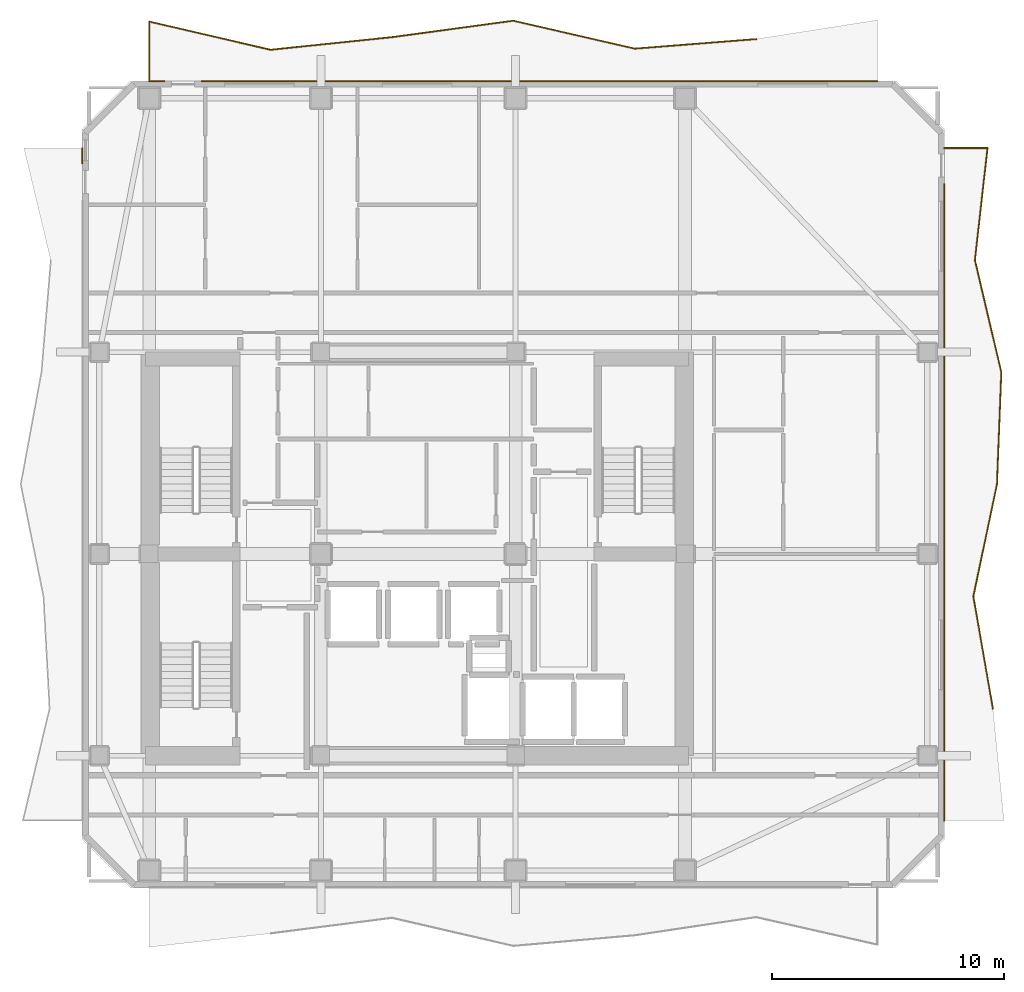
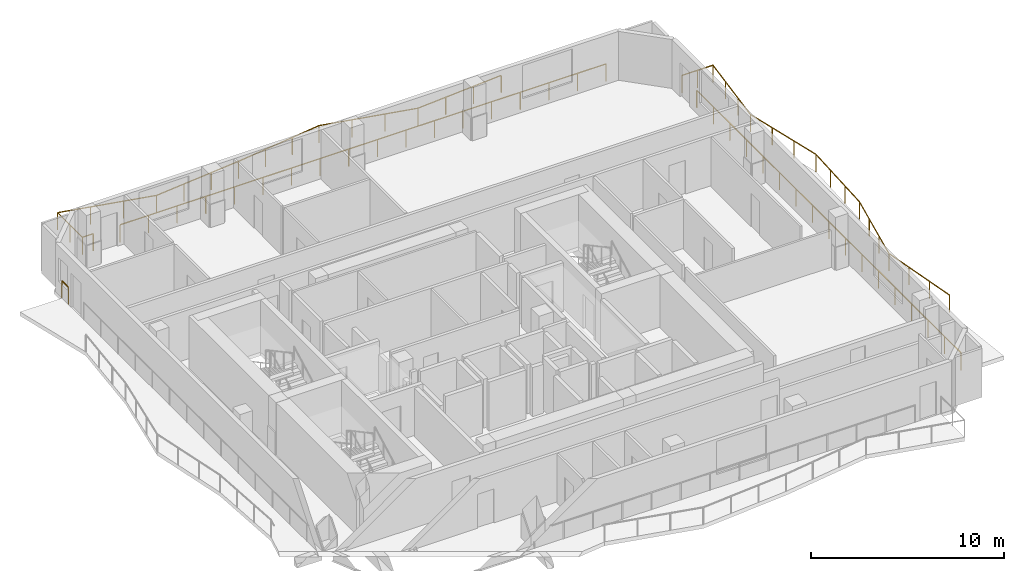
# One storey, part 9 of 9: 5 railings.
"""IFC4 building model written with IfcOpenShell, lengths in metres."""

from ifc_helpers import new_model, si_unit, direction, frame, origin, origin_2d, place, context, subcontext, project, spatial, rectangle, extrude, material, type_object, element, save


model = new_model("IFC4")

# Units and contexts
model_context = context("Model", 3, precision=1e-05, world=origin(), true_north=direction((0.0, 1.0)))
body_context = subcontext(model_context, "Body", "Model", "MODEL_VIEW")
ifc_project = project(units=[si_unit("LENGTHUNIT", "METRE"), si_unit("AREAUNIT", "SQUARE_METRE"), si_unit("VOLUMEUNIT", "CUBIC_METRE"), si_unit("PLANEANGLEUNIT", "RADIAN"), si_unit("MASSUNIT", "GRAM", prefix="KILO")], contexts=[model_context])

# Site, building, storey
site_placement = place(None, origin())
site = spatial("IfcSite", under=ifc_project, at=site_placement, CompositionType="ELEMENT")
building_placement = place(site_placement, origin())
building = spatial("IfcBuilding", under=site, at=building_placement, Name="Solanera Arch Residences", CompositionType="ELEMENT")
storey_placement = place(building_placement, frame((0.0, 0.0, 241.239990234375)))
storey = spatial("IfcBuildingStorey", under=building, at=storey_placement, Name="L70", CompositionType="ELEMENT", Elevation=241.239990234375)

# Railings
ifc_material = material(Name="Steel S355 (ASTM A992 / A572 Grade 50)", Category="steel")
railing_type = type_object("IfcRailingType", Name="Balustrade Railing BL-1100", PredefinedType="BALUSTRADE", material=ifc_material)
railing_1_placement = place(storey_placement, frame((39.56689453125, 52.90087890625, 0.0)))
element("IfcRailing", 1, at=railing_1_placement, inside=storey, type_object=railing_type, Name="L70 N Balcony Balustrade 1", PredefinedType="BALUSTRADE", context=body_context, shape_type="SweptSolid", body=[
    extrude(rectangle(XDim=0.048095703125, YDim=0.048095703125, at=origin_2d()), frame((0.0, 0.0, 1.09619140625), z_axis=(-0.996903522987, -0.078634380883, 0.0), x_axis=(0.078634380883, -0.996903522987, 0.0)), (0.0, 0.0, 1.0), 5.250244140625),
    extrude(rectangle(XDim=0.048095703125, YDim=0.048095703125, at=origin_2d()), frame((-5.23388671875, -0.412841796875, 1.09619140625), z_axis=(-0.974543465469, 0.224198648326, 0.0), x_axis=(-0.224198648326, -0.974543465469, 0.0)), (0.0, 0.0, 1.0), 5.36962890625),
    extrude(rectangle(XDim=0.048095703125, YDim=0.048095703125, at=origin_2d()), frame((-10.466796875, 0.791015625, 1.09619140625), z_axis=(-0.990971690654, -0.134071280751, 0.0), x_axis=(0.134071280751, -0.990971690654, 0.0)), (0.0, 0.0, 1.0), 5.28076171875),
    extrude(rectangle(XDim=0.048095703125, YDim=0.048095703125, at=origin_2d()), frame((-15.699951171875, 0.0830078125, 1.09619140625), z_axis=(-0.994642884034, -0.103370852954, 0.0), x_axis=(0.103370852954, -0.994642884034, 0.0)), (0.0, 0.0, 1.0), 5.261962890625),
    extrude(rectangle(XDim=0.048095703125, YDim=0.048095703125, at=origin_2d()), frame((-20.933837890625, -0.4609375, 1.09619140625), z_axis=(-0.974087010502, 0.22617359698, 0.0), x_axis=(-0.22617359698, -0.974087010502, 0.0)), (0.0, 0.0, 1.0), 5.372314453125),
    extrude(rectangle(XDim=0.048095703125, YDim=0.048095703125, at=origin_2d()), frame((-26.1669921875, 0.754150390625, 1.09619140625), z_axis=(0.0, -1.0, 0.0), x_axis=(1.0, 0.0, 0.0)), (0.0, 0.0, 1.0), 2.574951171875),
    extrude(rectangle(XDim=0.048095703125, YDim=0.048095703125, at=origin_2d()), frame((-26.1669921875, -1.82080078125, 1.09619140625), z_axis=(1.0, 0.0, 0.0), x_axis=(0.0, 1.0, 0.0)), (0.0, 0.0, 1.0), 0.655029296875),
    extrude(rectangle(XDim=0.0419921875, YDim=0.0419921875, at=origin_2d()), origin(), (0.0, 0.0, 1.0), 1.072021484375),
    extrude(rectangle(XDim=0.0419921875, YDim=0.0419921875, at=origin_2d()), frame((-1.74462890625, -0.1376953125, 0.0)), (0.0, 0.0, 1.0), 1.072021484375),
    extrude(rectangle(XDim=0.0419921875, YDim=0.0419921875, at=origin_2d()), frame((-3.4892578125, -0.275146484375, 0.0)), (0.0, 0.0, 1.0), 1.072021484375),
    extrude(rectangle(XDim=0.0419921875, YDim=0.0419921875, at=origin_2d()), frame((-5.23388671875, -0.412841796875, 0.0)), (0.0, 0.0, 1.0), 1.072021484375),
    extrude(rectangle(XDim=0.0419921875, YDim=0.0419921875, at=origin_2d()), frame((-6.978271484375, -0.011474609375, 0.0)), (0.0, 0.0, 1.0), 1.072021484375),
    extrude(rectangle(XDim=0.0419921875, YDim=0.0419921875, at=origin_2d()), frame((-8.722412109375, 0.3896484375, 0.0)), (0.0, 0.0, 1.0), 1.072021484375),
    extrude(rectangle(XDim=0.0419921875, YDim=0.0419921875, at=origin_2d()), frame((-10.466796875, 0.791015625, 0.0)), (0.0, 0.0, 1.0), 1.072021484375),
    extrude(rectangle(XDim=0.0419921875, YDim=0.0419921875, at=origin_2d()), frame((-12.211181640625, 0.554931640625, 0.0)), (0.0, 0.0, 1.0), 1.072021484375),
    extrude(rectangle(XDim=0.0419921875, YDim=0.0419921875, at=origin_2d()), frame((-13.95556640625, 0.319091796875, 0.0)), (0.0, 0.0, 1.0), 1.072021484375),
    extrude(rectangle(XDim=0.0419921875, YDim=0.0419921875, at=origin_2d()), frame((-15.699951171875, 0.0830078125, 0.0)), (0.0, 0.0, 1.0), 1.072021484375),
    extrude(rectangle(XDim=0.0419921875, YDim=0.0419921875, at=origin_2d()), frame((-17.444580078125, -0.098388671875, 0.0)), (0.0, 0.0, 1.0), 1.072021484375),
    extrude(rectangle(XDim=0.0419921875, YDim=0.0419921875, at=origin_2d()), frame((-19.189208984375, -0.279541015625, 0.0)), (0.0, 0.0, 1.0), 1.072021484375),
    extrude(rectangle(XDim=0.0419921875, YDim=0.0419921875, at=origin_2d()), frame((-20.933837890625, -0.4609375, 0.0)), (0.0, 0.0, 1.0), 1.072021484375),
    extrude(rectangle(XDim=0.0419921875, YDim=0.0419921875, at=origin_2d()), frame((-22.67822265625, -0.055908203125, 0.0)), (0.0, 0.0, 1.0), 1.072021484375),
    extrude(rectangle(XDim=0.0419921875, YDim=0.0419921875, at=origin_2d()), frame((-24.422607421875, 0.34912109375, 0.0)), (0.0, 0.0, 1.0), 1.072021484375),
    extrude(rectangle(XDim=0.0419921875, YDim=0.0419921875, at=origin_2d()), frame((-26.1669921875, 0.754150390625, 0.0)), (0.0, 0.0, 1.0), 1.072021484375),
    extrude(rectangle(XDim=0.0419921875, YDim=0.0419921875, at=origin_2d()), frame((-26.1669921875, -0.533203125, 0.0)), (0.0, 0.0, 1.0), 1.072021484375),
    extrude(rectangle(XDim=0.0419921875, YDim=0.0419921875, at=origin_2d()), frame((-26.1669921875, -1.82080078125, 0.0)), (0.0, 0.0, 1.0), 1.072021484375),
    extrude(rectangle(XDim=0.0419921875, YDim=0.0419921875, at=origin_2d()), frame((-25.511962890625, -1.82080078125, 0.0)), (0.0, 0.0, 1.0), 1.072021484375),
])
railing_2_placement = place(storey_placement, frame((15.655029296875, 51.080078125, 0.0)))
element("IfcRailing", 2, at=railing_2_placement, inside=storey, type_object=railing_type, Name="L70 N Balcony Balustrade 2", PredefinedType="BALUSTRADE", context=body_context, shape_type="SweptSolid", body=[
    extrude(rectangle(XDim=0.048095703125, YDim=0.048095703125, at=origin_2d()), frame((0.0, 0.0, 1.09619140625), z_axis=(1.0, 0.0, 0.0), x_axis=(0.0, 1.0, 0.0)), (0.0, 0.0, 1.0), 29.14501953125),
    extrude(rectangle(XDim=0.0419921875, YDim=0.0419921875, at=origin_2d()), origin(), (0.0, 0.0, 1.0), 1.072021484375),
    extrude(rectangle(XDim=0.0419921875, YDim=0.0419921875, at=origin_2d()), frame((1.71435546875, 0.0, 0.0)), (0.0, 0.0, 1.0), 1.072021484375),
    extrude(rectangle(XDim=0.0419921875, YDim=0.0419921875, at=origin_2d()), frame((3.4287109375, 0.0, 0.0)), (0.0, 0.0, 1.0), 1.072021484375),
    extrude(rectangle(XDim=0.0419921875, YDim=0.0419921875, at=origin_2d()), frame((5.143310546875, 0.0, 0.0)), (0.0, 0.0, 1.0), 1.072021484375),
    extrude(rectangle(XDim=0.0419921875, YDim=0.0419921875, at=origin_2d()), frame((6.857666015625, 0.0, 0.0)), (0.0, 0.0, 1.0), 1.072021484375),
    extrude(rectangle(XDim=0.0419921875, YDim=0.0419921875, at=origin_2d()), frame((8.572021484375, 0.0, 0.0)), (0.0, 0.0, 1.0), 1.072021484375),
    extrude(rectangle(XDim=0.0419921875, YDim=0.0419921875, at=origin_2d()), frame((10.286376953125, 0.0, 0.0)), (0.0, 0.0, 1.0), 1.072021484375),
    extrude(rectangle(XDim=0.0419921875, YDim=0.0419921875, at=origin_2d()), frame((12.0009765625, 0.0, 0.0)), (0.0, 0.0, 1.0), 1.072021484375),
    extrude(rectangle(XDim=0.0419921875, YDim=0.0419921875, at=origin_2d()), frame((13.71533203125, 0.0, 0.0)), (0.0, 0.0, 1.0), 1.072021484375),
    extrude(rectangle(XDim=0.0419921875, YDim=0.0419921875, at=origin_2d()), frame((15.4296875, 0.0, 0.0)), (0.0, 0.0, 1.0), 1.072021484375),
    extrude(rectangle(XDim=0.0419921875, YDim=0.0419921875, at=origin_2d()), frame((17.14404296875, 0.0, 0.0)), (0.0, 0.0, 1.0), 1.072021484375),
    extrude(rectangle(XDim=0.0419921875, YDim=0.0419921875, at=origin_2d()), frame((18.858642578125, 0.0, 0.0)), (0.0, 0.0, 1.0), 1.072021484375),
    extrude(rectangle(XDim=0.0419921875, YDim=0.0419921875, at=origin_2d()), frame((20.572998046875, 0.0, 0.0)), (0.0, 0.0, 1.0), 1.072021484375),
    extrude(rectangle(XDim=0.0419921875, YDim=0.0419921875, at=origin_2d()), frame((22.287353515625, 0.0, 0.0)), (0.0, 0.0, 1.0), 1.072021484375),
    extrude(rectangle(XDim=0.0419921875, YDim=0.0419921875, at=origin_2d()), frame((24.001708984375, 0.0, 0.0)), (0.0, 0.0, 1.0), 1.072021484375),
    extrude(rectangle(XDim=0.0419921875, YDim=0.0419921875, at=origin_2d()), frame((25.71630859375, 0.0, 0.0)), (0.0, 0.0, 1.0), 1.072021484375),
    extrude(rectangle(XDim=0.0419921875, YDim=0.0419921875, at=origin_2d()), frame((27.4306640625, 0.0, 0.0)), (0.0, 0.0, 1.0), 1.072021484375),
    extrude(rectangle(XDim=0.0419921875, YDim=0.0419921875, at=origin_2d()), frame((29.14501953125, 0.0, 0.0)), (0.0, 0.0, 1.0), 1.072021484375),
])
railing_3_placement = place(storey_placement, frame((49.779052734375, 24.032958984375, 0.0)))
element("IfcRailing", 3, at=railing_3_placement, inside=storey, type_object=railing_type, Name="L70 E Balcony Balustrade 1", PredefinedType="BALUSTRADE", context=body_context, shape_type="SweptSolid", body=[
    extrude(rectangle(XDim=0.048095703125, YDim=0.048095703125, at=origin_2d()), frame((0.0, 0.0, 1.09619140625), z_axis=(-0.171800993754, 0.985131675739, 0.0), x_axis=(-0.985131675739, -0.171800993754, 0.0)), (0.0, 0.0, 1.0), 4.906982421875),
    extrude(rectangle(XDim=0.048095703125, YDim=0.048095703125, at=origin_2d()), frame((-0.843017578125, 4.833984375, 1.09619140625), z_axis=(0.206125074422, 0.978525653059, 0.0), x_axis=(-0.978525653059, 0.206125074422, 0.0)), (0.0, 0.0, 1.0), 4.93896484375),
    extrude(rectangle(XDim=0.048095703125, YDim=0.048095703125, at=origin_2d()), frame((0.175048828125, 9.6669921875, 1.09619140625), z_axis=(0.038867355613, 0.999244378852, 0.0), x_axis=(-0.999244378852, 0.038867355613, 0.0)), (0.0, 0.0, 1.0), 4.836669921875),
    extrude(rectangle(XDim=0.048095703125, YDim=0.048095703125, at=origin_2d()), frame((0.363037109375, 14.5, 1.09619140625), z_axis=(-0.229373598074, 0.973338457324, 0.0), x_axis=(-0.973338457324, -0.229373598074, 0.0)), (0.0, 0.0, 1.0), 4.96630859375),
    extrude(rectangle(XDim=0.048095703125, YDim=0.048095703125, at=origin_2d()), frame((-0.776123046875, 19.333984375, 1.09619140625), z_axis=(0.111891435332, 0.993720436893, 0.0), x_axis=(-0.993720436893, 0.111891435332, 0.0)), (0.0, 0.0, 1.0), 4.863525390625),
    extrude(rectangle(XDim=0.048095703125, YDim=0.048095703125, at=origin_2d()), frame((-0.23193359375, 24.1669921875, 1.09619140625), z_axis=(-1.0, 0.0, 0.0), x_axis=(0.0, -1.0, 0.0)), (0.0, 0.0, 1.0), 1.8671875),
    extrude(rectangle(XDim=0.0419921875, YDim=0.0419921875, at=origin_2d()), origin(), (0.0, 0.0, 1.0), 1.072021484375),
    extrude(rectangle(XDim=0.0419921875, YDim=0.0419921875, at=origin_2d()), frame((-0.281005859375, 1.611328125, 0.0)), (0.0, 0.0, 1.0), 1.072021484375),
    extrude(rectangle(XDim=0.0419921875, YDim=0.0419921875, at=origin_2d()), frame((-0.56201171875, 3.22265625, 0.0)), (0.0, 0.0, 1.0), 1.072021484375),
    extrude(rectangle(XDim=0.0419921875, YDim=0.0419921875, at=origin_2d()), frame((-0.843017578125, 4.833984375, 0.0)), (0.0, 0.0, 1.0), 1.072021484375),
    extrude(rectangle(XDim=0.0419921875, YDim=0.0419921875, at=origin_2d()), frame((-0.503662109375, 6.445068359375, 0.0)), (0.0, 0.0, 1.0), 1.072021484375),
    extrude(rectangle(XDim=0.0419921875, YDim=0.0419921875, at=origin_2d()), frame((-0.164306640625, 8.055908203125, 0.0)), (0.0, 0.0, 1.0), 1.072021484375),
    extrude(rectangle(XDim=0.0419921875, YDim=0.0419921875, at=origin_2d()), frame((0.175048828125, 9.6669921875, 0.0)), (0.0, 0.0, 1.0), 1.072021484375),
    extrude(rectangle(XDim=0.0419921875, YDim=0.0419921875, at=origin_2d()), frame((0.23779296875, 11.278076171875, 0.0)), (0.0, 0.0, 1.0), 1.072021484375),
    extrude(rectangle(XDim=0.0419921875, YDim=0.0419921875, at=origin_2d()), frame((0.30029296875, 12.888916015625, 0.0)), (0.0, 0.0, 1.0), 1.072021484375),
    extrude(rectangle(XDim=0.0419921875, YDim=0.0419921875, at=origin_2d()), frame((0.363037109375, 14.5, 0.0)), (0.0, 0.0, 1.0), 1.072021484375),
    extrude(rectangle(XDim=0.0419921875, YDim=0.0419921875, at=origin_2d()), frame((-0.0166015625, 16.111328125, 0.0)), (0.0, 0.0, 1.0), 1.072021484375),
    extrude(rectangle(XDim=0.0419921875, YDim=0.0419921875, at=origin_2d()), frame((-0.396484375, 17.72265625, 0.0)), (0.0, 0.0, 1.0), 1.072021484375),
    extrude(rectangle(XDim=0.0419921875, YDim=0.0419921875, at=origin_2d()), frame((-0.776123046875, 19.333984375, 0.0)), (0.0, 0.0, 1.0), 1.072021484375),
    extrude(rectangle(XDim=0.0419921875, YDim=0.0419921875, at=origin_2d()), frame((-0.5947265625, 20.945068359375, 0.0)), (0.0, 0.0, 1.0), 1.072021484375),
    extrude(rectangle(XDim=0.0419921875, YDim=0.0419921875, at=origin_2d()), frame((-0.413330078125, 22.555908203125, 0.0)), (0.0, 0.0, 1.0), 1.072021484375),
    extrude(rectangle(XDim=0.0419921875, YDim=0.0419921875, at=origin_2d()), frame((-0.23193359375, 24.1669921875, 0.0)), (0.0, 0.0, 1.0), 1.072021484375),
    extrude(rectangle(XDim=0.0419921875, YDim=0.0419921875, at=origin_2d()), frame((-1.16552734375, 24.1669921875, 0.0)), (0.0, 0.0, 1.0), 1.072021484375),
    extrude(rectangle(XDim=0.0419921875, YDim=0.0419921875, at=origin_2d()), frame((-2.09912109375, 24.1669921875, 0.0)), (0.0, 0.0, 1.0), 1.072021484375),
])
railing_4_placement = place(storey_placement, frame((47.679931640625, 46.64501953125, 0.0)))
element("IfcRailing", 4, at=railing_4_placement, inside=storey, type_object=railing_type, Name="L70 E Balcony Balustrade 2", PredefinedType="BALUSTRADE", context=body_context, shape_type="SweptSolid", body=[
    extrude(rectangle(XDim=0.048095703125, YDim=0.048095703125, at=origin_2d()), frame((0.0, 0.0, 1.09619140625), z_axis=(0.0, -1.0, 0.0), x_axis=(1.0, 0.0, 0.0)), (0.0, 0.0, 1.0), 27.445068359375),
    extrude(rectangle(XDim=0.0419921875, YDim=0.0419921875, at=origin_2d()), origin(), (0.0, 0.0, 1.0), 1.072021484375),
    extrude(rectangle(XDim=0.0419921875, YDim=0.0419921875, at=origin_2d()), frame((0.0, -1.71533203125, 0.0)), (0.0, 0.0, 1.0), 1.072021484375),
    extrude(rectangle(XDim=0.0419921875, YDim=0.0419921875, at=origin_2d()), frame((0.0, -3.4306640625, 0.0)), (0.0, 0.0, 1.0), 1.072021484375),
    extrude(rectangle(XDim=0.0419921875, YDim=0.0419921875, at=origin_2d()), frame((0.0, -5.14599609375, 0.0)), (0.0, 0.0, 1.0), 1.072021484375),
    extrude(rectangle(XDim=0.0419921875, YDim=0.0419921875, at=origin_2d()), frame((0.0, -6.861328125, 0.0)), (0.0, 0.0, 1.0), 1.072021484375),
    extrude(rectangle(XDim=0.0419921875, YDim=0.0419921875, at=origin_2d()), frame((0.0, -8.57666015625, 0.0)), (0.0, 0.0, 1.0), 1.072021484375),
    extrude(rectangle(XDim=0.0419921875, YDim=0.0419921875, at=origin_2d()), frame((0.0, -10.2919921875, 0.0)), (0.0, 0.0, 1.0), 1.072021484375),
    extrude(rectangle(XDim=0.0419921875, YDim=0.0419921875, at=origin_2d()), frame((0.0, -12.00732421875, 0.0)), (0.0, 0.0, 1.0), 1.072021484375),
    extrude(rectangle(XDim=0.0419921875, YDim=0.0419921875, at=origin_2d()), frame((0.0, -13.72265625, 0.0)), (0.0, 0.0, 1.0), 1.072021484375),
    extrude(rectangle(XDim=0.0419921875, YDim=0.0419921875, at=origin_2d()), frame((0.0, -15.437744140625, 0.0)), (0.0, 0.0, 1.0), 1.072021484375),
    extrude(rectangle(XDim=0.0419921875, YDim=0.0419921875, at=origin_2d()), frame((0.0, -17.153076171875, 0.0)), (0.0, 0.0, 1.0), 1.072021484375),
    extrude(rectangle(XDim=0.0419921875, YDim=0.0419921875, at=origin_2d()), frame((0.0, -18.868408203125, 0.0)), (0.0, 0.0, 1.0), 1.072021484375),
    extrude(rectangle(XDim=0.0419921875, YDim=0.0419921875, at=origin_2d()), frame((0.0, -20.583740234375, 0.0)), (0.0, 0.0, 1.0), 1.072021484375),
    extrude(rectangle(XDim=0.0419921875, YDim=0.0419921875, at=origin_2d()), frame((0.0, -22.299072265625, 0.0)), (0.0, 0.0, 1.0), 1.072021484375),
    extrude(rectangle(XDim=0.0419921875, YDim=0.0419921875, at=origin_2d()), frame((0.0, -24.014404296875, 0.0)), (0.0, 0.0, 1.0), 1.072021484375),
    extrude(rectangle(XDim=0.0419921875, YDim=0.0419921875, at=origin_2d()), frame((0.0, -25.729736328125, 0.0)), (0.0, 0.0, 1.0), 1.072021484375),
    extrude(rectangle(XDim=0.0419921875, YDim=0.0419921875, at=origin_2d()), frame((0.0, -27.445068359375, 0.0)), (0.0, 0.0, 1.0), 1.072021484375),
])
railing_5_placement = place(storey_placement, frame((10.52001953125, 47.5400390625, 0.0)))
element("IfcRailing", 5, at=railing_5_placement, inside=storey, type_object=railing_type, Name="L70 W Balcony Balustrade 2", PredefinedType="BALUSTRADE", context=body_context, shape_type="SweptSolid", body=[
    extrude(rectangle(XDim=0.048095703125, YDim=0.048095703125, at=origin_2d()), frame((0.0, 0.0, 1.09619140625), z_axis=(0.0, 1.0, 0.0), x_axis=(-1.0, 0.0, 0.0)), (0.0, 0.0, 1.0), 0.659912109375),
    extrude(rectangle(XDim=0.0419921875, YDim=0.0419921875, at=origin_2d()), origin(), (0.0, 0.0, 1.0), 1.072021484375),
    extrude(rectangle(XDim=0.0419921875, YDim=0.0419921875, at=origin_2d()), frame((0.0, 0.659912109375, 0.0)), (0.0, 0.0, 1.0), 1.072021484375),
])

save(model, "model.ifc")
